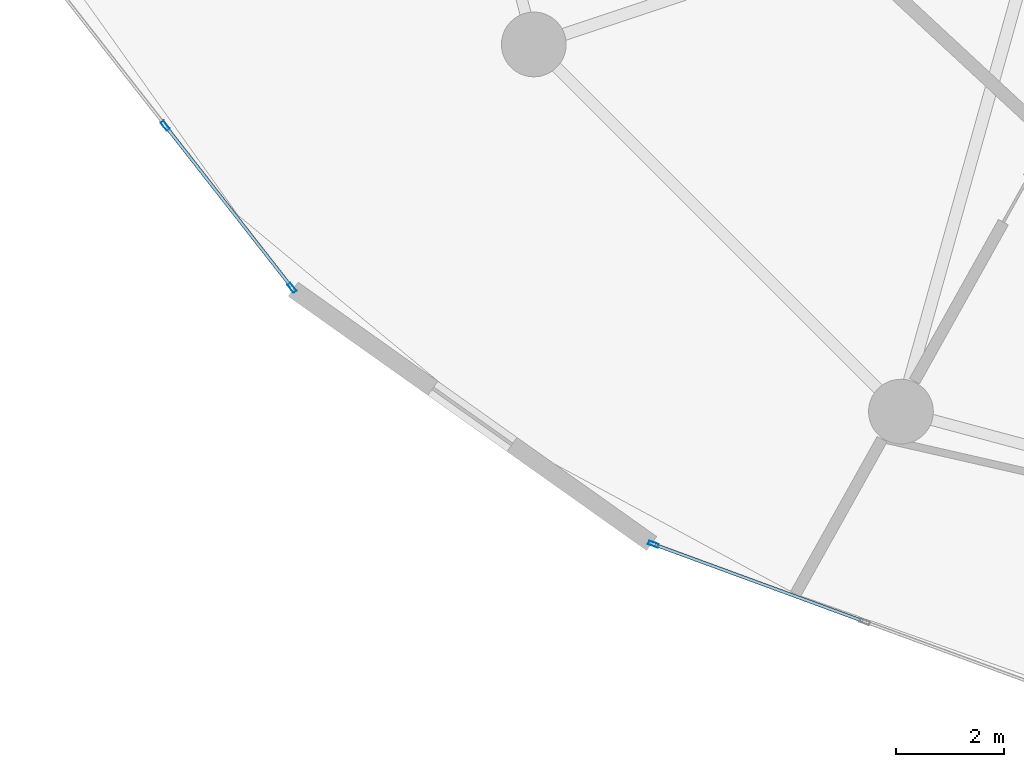
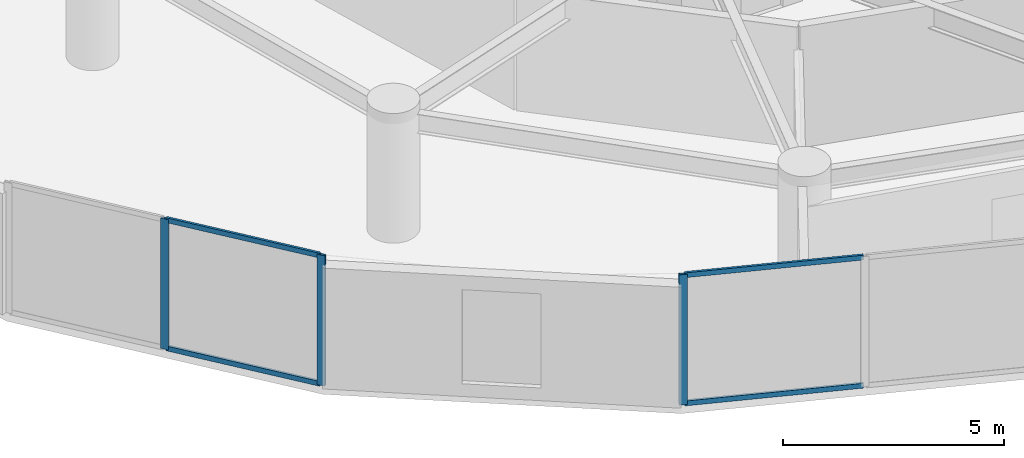
# One storey, part 2 of 22: 7 members, 2 elements without a shape of their own.
"""IFC4 building model written with IfcOpenShell, lengths in metres."""

from ifc_helpers import new_model, si_unit, direction, frame, origin, origin_2d, place, context, subcontext, project, spatial, hollow_rectangle, extrude, source, transform, mapped, material, layer, layer_set, material_profile, profile_set, type_object, element, aggregate, save


model = new_model("IFC4")

# Units and contexts
model_context = context("Model", 3, precision=1e-05, world=origin(), true_north=direction((0.0, 1.0)))
body_context = subcontext(model_context, "Body", "Model", "MODEL_VIEW")
ifc_project = project(units=[si_unit("LENGTHUNIT", "METRE"), si_unit("AREAUNIT", "SQUARE_METRE"), si_unit("VOLUMEUNIT", "CUBIC_METRE"), si_unit("PLANEANGLEUNIT", "RADIAN"), si_unit("MASSUNIT", "GRAM", prefix="KILO")], contexts=[model_context])

# Site, building, storey
site_placement = place(None, origin())
site = spatial("IfcSite", under=ifc_project, at=site_placement, CompositionType="ELEMENT")
building_placement = place(site_placement, origin())
building = spatial("IfcBuilding", under=site, at=building_placement, Name="Solvirekh Grand Hotel", CompositionType="ELEMENT")
storey_placement = place(building_placement, frame((0.0, 0.0, 53.60009765625)))
storey = spatial("IfcBuildingStorey", under=building, at=storey_placement, Name="L12", CompositionType="ELEMENT", Elevation=53.60009765625)

# Curtain wall, members
ifc_material = material(Name="Anodized Bronze Aluminium 6063-T6", Category="aluminium")
ifc_layer = layer(ifc_material, 0.18994140625)
ifc_layer_set = layer_set([ifc_layer], Name="Anodized Bronze Aluminium 6063-T6")
curtain_wall_type = type_object("IfcCurtainWallType", Name="CW_Sys2_LowZoneFlushBronzeCW", PredefinedType="NOTDEFINED", material=ifc_layer_set)
curtain_wall_1_placement = place(storey_placement, origin())
curtain_wall_1 = element("IfcCurtainWall", 1, at=curtain_wall_1_placement, inside=storey, type_object=curtain_wall_type, Name="L12 unitised bronze-glass curtain wall CW-L12-C13", PredefinedType="NOTDEFINED")
ifc_material_profile_1 = material_profile(ifc_material, hollow_rectangle(XDim=0.06005859375, YDim=0.135009765625, WallThickness=0.00390625, at=origin_2d()), Name="ALU RHS 135X60X4")
ifc_profile_set_1 = profile_set([ifc_material_profile_1], Name="Anodized Bronze Aluminium 6063-T6")
member_type_1 = type_object("IfcMemberType", Name="CWTransom_Sys2", PredefinedType="USERDEFINED", material=ifc_profile_set_1)
shared_shape_1 = source(origin(), body_context, "Body", "SweptSolid", [
    extrude(hollow_rectangle(XDim=0.06005859375, YDim=0.135009765625, WallThickness=0.00390625, at=origin_2d()), origin(), (0.0, 0.0, 1.0), 3.74755859375),
])
member_1_placement = place(storey_placement, frame((-22.9208984375, -10.8330078125, 0.02978515625), z_axis=(0.616085152181, -0.787679557473, 0.0), x_axis=(0.787679557473, 0.616085152181, 0.0)))
member_1 = element("IfcMember", 2, at=member_1_placement, type_object=member_type_1, Name="U02 transom 2.1", ObjectType="TRANSOM", PredefinedType="USERDEFINED", context=body_context, shape_type="MappedRepresentation", body=[
    mapped(shared_shape_1, transform((0.0, 0.0, 0.0), x_axis=(1.0, 0.0, 0.0), y_axis=(0.0, 1.0, 0.0), z_axis=(0.0, 0.0, 1.0), scale=1.0)),
])
member_2_placement = place(storey_placement, frame((-22.9208984375, -10.8330078125, 3.56982421875), z_axis=(0.616085152181, -0.787679557473, 0.0), x_axis=(0.787679557473, 0.616085152181, 0.0)))
member_2 = element("IfcMember", 3, at=member_2_placement, type_object=member_type_1, Name="U02 transom 2.2", ObjectType="TRANSOM", PredefinedType="USERDEFINED", context=body_context, shape_type="MappedRepresentation", body=[
    mapped(shared_shape_1, transform((0.0, 0.0, 0.0), x_axis=(1.0, 0.0, 0.0), y_axis=(0.0, 1.0, 0.0), z_axis=(0.0, 0.0, 1.0), scale=1.0)),
])
ifc_material_profile_2 = material_profile(ifc_material, hollow_rectangle(XDim=0.070068359375, YDim=0.18994140625, WallThickness=0.0048828125, at=origin_2d()), Name="ALU RHS 190X70X5")
ifc_profile_set_2 = profile_set([ifc_material_profile_2], Name="Anodized Bronze Aluminium 6063-T6")
member_type_2 = type_object("IfcMemberType", Name="CWMullion_Sys2", PredefinedType="MULLION", material=ifc_profile_set_2)
shared_shape_2 = source(origin(), body_context, "Body", "SweptSolid", [
    extrude(hollow_rectangle(XDim=0.070068359375, YDim=0.18994140625, WallThickness=0.0048828125, at=origin_2d()), origin(), (0.0, 0.0, 1.0), 3.599853515625),
])
member_3_placement = place(storey_placement, frame((-22.9423828125, -10.805419921875, 0.0), z_axis=(0.0, 0.0, 1.0), x_axis=(0.78767203558, 0.61609476898, 0.0)))
member_3 = element("IfcMember", 4, at=member_3_placement, type_object=member_type_2, Name="U02 mullion 2", PredefinedType="MULLION", context=body_context, shape_type="MappedRepresentation", body=[
    mapped(shared_shape_2, transform((0.0, 0.0, 0.0), x_axis=(1.0, 0.0, 0.0), y_axis=(0.0, 1.0, 0.0), z_axis=(0.0, 0.0, 1.0), scale=1.0)),
])
member_4_placement = place(storey_placement, frame((-20.590576171875, -13.8125, 0.0), z_axis=(0.0, 0.0, 1.0), x_axis=(0.78767203558, 0.61609476898, 0.0)))
member_4 = element("IfcMember", 5, at=member_4_placement, type_object=member_type_2, Name="U02 mullion 3", PredefinedType="MULLION", context=body_context, shape_type="MappedRepresentation", body=[
    mapped(shared_shape_2, transform((0.0, 0.0, 0.0), x_axis=(1.0, 0.0, 0.0), y_axis=(0.0, 1.0, 0.0), z_axis=(0.0, 0.0, 1.0), scale=1.0)),
])
aggregate(curtain_wall_1, [member_3, member_4, member_1, member_2])

curtain_wall_2_placement = place(storey_placement, origin())
curtain_wall_2 = element("IfcCurtainWall", 6, at=curtain_wall_2_placement, inside=storey, type_object=curtain_wall_type, Name="L12 unitised bronze-glass curtain wall CW-L12-C15", PredefinedType="NOTDEFINED")
member_5_placement = place(storey_placement, frame((-13.88916015625, -18.567138671875, 0.0), z_axis=(0.0, 0.0, 1.0), x_axis=(0.344471181781, 0.938796892263, 0.0)))
member_5 = element("IfcMember", 7, at=member_5_placement, type_object=member_type_2, Name="U02 mullion 1", PredefinedType="MULLION", context=body_context, shape_type="MappedRepresentation", body=[
    mapped(shared_shape_2, transform((0.0, 0.0, 0.0), x_axis=(1.0, 0.0, 0.0), y_axis=(0.0, 1.0, 0.0), z_axis=(0.0, 0.0, 1.0), scale=1.0)),
])
shared_shape_3 = source(origin(), body_context, "Body", "SweptSolid", [
    extrude(hollow_rectangle(XDim=0.06005859375, YDim=0.135009765625, WallThickness=0.00390625, at=origin_2d()), origin(), (0.0, 0.0, 1.0), 4.101318359375),
])
member_6_placement = place(storey_placement, frame((-13.856201171875, -18.5791015625, 0.02978515625), z_axis=(0.938793557918, -0.344480268827, 0.0), x_axis=(0.344480268827, 0.938793557918, 0.0)))
member_6 = element("IfcMember", 8, at=member_6_placement, type_object=member_type_1, Name="U02 transom 1.1", ObjectType="TRANSOM", PredefinedType="USERDEFINED", context=body_context, shape_type="MappedRepresentation", body=[
    mapped(shared_shape_3, transform((0.0, 0.0, 0.0), x_axis=(1.0, 0.0, 0.0), y_axis=(0.0, 1.0, 0.0), z_axis=(0.0, 0.0, 1.0), scale=1.0)),
])
member_7_placement = place(storey_placement, frame((-13.856201171875, -18.5791015625, 3.56982421875), z_axis=(0.938793557918, -0.344480268827, 0.0), x_axis=(0.344480268827, 0.938793557918, 0.0)))
member_7 = element("IfcMember", 9, at=member_7_placement, type_object=member_type_1, Name="U02 transom 1.2", ObjectType="TRANSOM", PredefinedType="USERDEFINED", context=body_context, shape_type="MappedRepresentation", body=[
    mapped(shared_shape_3, transform((0.0, 0.0, 0.0), x_axis=(1.0, 0.0, 0.0), y_axis=(0.0, 1.0, 0.0), z_axis=(0.0, 0.0, 1.0), scale=1.0)),
])
aggregate(curtain_wall_2, [member_5, member_6, member_7])

save(model, "model.ifc")
